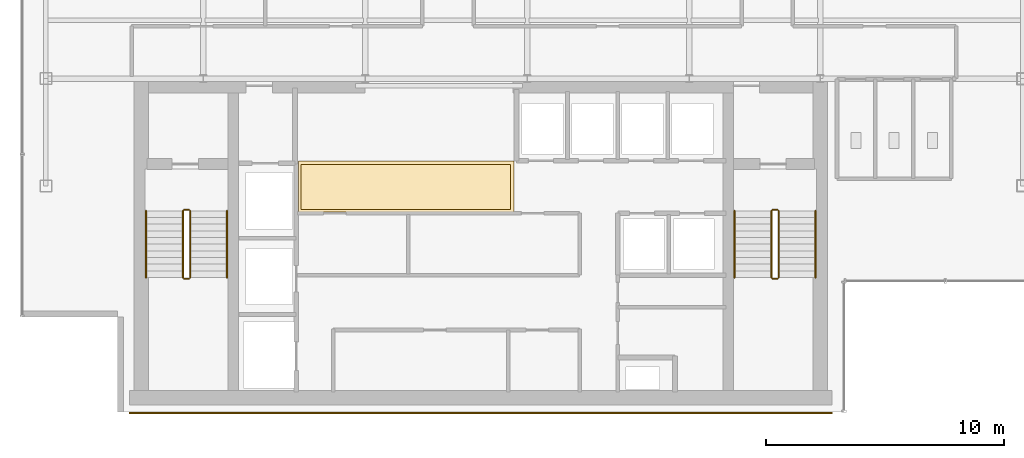
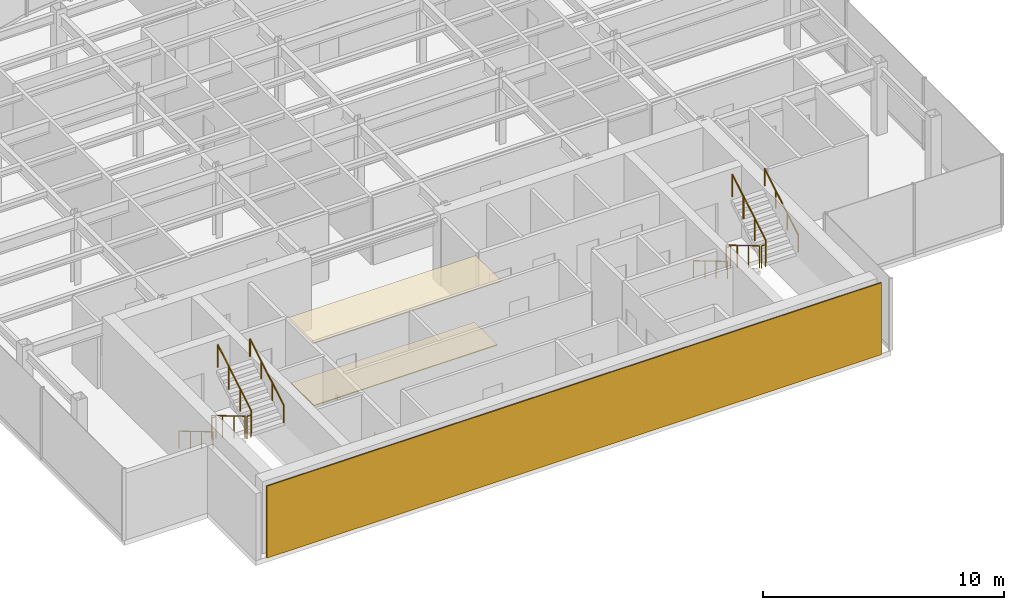
# One storey, part 20 of 22: 12 railings, 3 coverings.
"""IFC4 building model written with IfcOpenShell, lengths in metres."""

from ifc_helpers import new_model, si_unit, derived_unit, direction, frame, origin, origin_2d, place, context, subcontext, project, spatial, polyline, rectangle, circle, outline, extrude, source, transform, mapped, material, layer, layer_set, type_object, element, save


model = new_model("IFC4")

# Units and contexts
model_context = context("Model", 3, precision=1e-05, world=origin(), true_north=direction((0.0, 1.0)))
body_context = subcontext(model_context, "Body", "Model", "MODEL_VIEW")
ifc_project = project(units=[si_unit("LENGTHUNIT", "METRE"), si_unit("AREAUNIT", "SQUARE_METRE"), si_unit("VOLUMEUNIT", "CUBIC_METRE"), si_unit("PLANEANGLEUNIT", "RADIAN"), si_unit("MASSUNIT", "GRAM", prefix="KILO"), derived_unit("THERMALTRANSMITTANCEUNIT", [(si_unit("POWERUNIT", "WATT"), 1), (si_unit("LENGTHUNIT", "METRE"), -2), (si_unit("THERMODYNAMICTEMPERATUREUNIT", "KELVIN"), -1)])], contexts=[model_context])

# Site, building, storey
site_placement = place(None, origin())
site = spatial("IfcSite", under=ifc_project, at=site_placement, CompositionType="ELEMENT")
building_placement = place(site_placement, origin())
building = spatial("IfcBuilding", under=site, at=building_placement, Name="Skarnbrae Concourse Arena and Tower", CompositionType="ELEMENT")
storey_placement = place(building_placement, frame((0.0, 0.0, 247.85009765625)))
storey = spatial("IfcBuildingStorey", under=building, at=storey_placement, Name="L64", CompositionType="ELEMENT", Elevation=247.85009765625)

# Coverings
ifc_material_1 = material(Name="Mineral fibre acoustic ceiling tile", Category="other")
ifc_layer_1 = layer(ifc_material_1, 0.0400390625)
ifc_layer_set_1 = layer_set([ifc_layer_1], Name="Mineral fibre acoustic ceiling tile")
covering_type_1 = type_object("IfcCoveringType", Name="COV-CEIL-ACOUSTIC", PredefinedType="CEILING", material=ifc_layer_set_1)
covering_1_placement = place(storey_placement, frame((0.0, 0.0, 3.239990234375)))
element("IfcCovering", 1, at=covering_1_placement, inside=storey, type_object=covering_type_1, Name="L64 Lift lobby acoustic ceiling", PredefinedType="CEILING", context=body_context, shape_type="SweptSolid", body=[
    extrude(outline(polyline([(11.60009765625, 8.39990234375), (20.64990234375, 8.39990234375), (20.64990234375, 10.550048828125), (11.60009765625, 10.550048828125), (11.60009765625, 8.39990234375)])), origin(), (0.0, 0.0, 1.0), 0.039794921875),
])
ifc_material_2 = material(Name="Polished granite terrazzo flooring", Category="masonry")
ifc_layer_2 = layer(ifc_material_2, 0.0400390625)
ifc_layer_set_2 = layer_set([ifc_layer_2], Name="Polished granite terrazzo flooring")
covering_type_2 = type_object("IfcCoveringType", Name="COV-FLOOR-TERRAZZO", PredefinedType="FLOORING", material=ifc_layer_set_2)
covering_2_placement = place(storey_placement, origin())
element("IfcCovering", 2, at=covering_2_placement, inside=storey, type_object=covering_type_2, Name="L64 Lift lobby terrazzo flooring", PredefinedType="FLOORING", context=body_context, shape_type="SweptSolid", body=[
    extrude(outline(polyline([(11.699951171875, 8.5), (20.5, 8.5), (20.5, 10.39990234375), (11.699951171875, 10.39990234375), (11.699951171875, 8.5)])), origin(), (0.0, 0.0, 1.0), 0.039794921875),
])

# Railings
ifc_material_3 = material(Name="Steel CSA G40.21 350W", Category="steel")
railing_type_1 = type_object("IfcRailingType", Name="RAIL-HANDRAIL-900", PredefinedType="HANDRAIL", material=ifc_material_3)
railing_1_placement = place(storey_placement, frame((5.199951171875, 8.449951171875, 0.165771484375)))
element("IfcRailing", 3, at=railing_1_placement, inside=storey, type_object=railing_type_1, Name="L64 ST-1 stair handrail 1", PredefinedType="HANDRAIL", context=body_context, shape_type="SweptSolid", body=[
    extrude(circle(Radius=0.02392578125, at=origin_2d()), frame((0.0, 0.0, 0.8759765625), z_axis=(0.0, -0.860306154799, 0.50977771628), x_axis=(1.0, 0.0, 0.0)), (0.0, 0.0, 1.0), 3.254638671875),
    extrude(circle(Radius=0.02099609375, at=origin_2d()), origin(), (0.0, 0.0, 1.0), 0.851806640625),
    extrude(circle(Radius=0.02099609375, at=origin_2d()), frame((0.0, -0.933349609375, 0.552978515625)), (0.0, 0.0, 1.0), 0.851806640625),
    extrude(circle(Radius=0.02099609375, at=origin_2d()), frame((0.0, -1.86669921875, 1.106201171875)), (0.0, 0.0, 1.0), 0.851806640625),
    extrude(circle(Radius=0.02099609375, at=origin_2d()), frame((0.0, -2.800048828125, 1.6591796875)), (0.0, 0.0, 1.0), 0.851806640625),
])
railing_2_placement = place(storey_placement, frame((8.60009765625, 5.64990234375, 1.99072265625)))
element("IfcRailing", 4, at=railing_2_placement, inside=storey, type_object=railing_type_1, Name="L64 ST-1 stair handrail 2", PredefinedType="HANDRAIL", context=body_context, shape_type="SweptSolid", body=[
    extrude(circle(Radius=0.02392578125, at=origin_2d()), frame((0.0, 0.0, 0.8759765625), z_axis=(0.0, 0.860306154799, 0.50977771628), x_axis=(-1.0, 0.0, 0.0)), (0.0, 0.0, 1.0), 3.254638671875),
    extrude(circle(Radius=0.02099609375, at=origin_2d()), origin(), (0.0, 0.0, 1.0), 0.851806640625),
    extrude(circle(Radius=0.02099609375, at=origin_2d()), frame((0.0, 0.933349609375, 0.552978515625)), (0.0, 0.0, 1.0), 0.851806640625),
    extrude(circle(Radius=0.02099609375, at=origin_2d()), frame((0.0, 1.86669921875, 1.106201171875)), (0.0, 0.0, 1.0), 0.851806640625),
    extrude(circle(Radius=0.02099609375, at=origin_2d()), frame((0.0, 2.800048828125, 1.6591796875)), (0.0, 0.0, 1.0), 0.851806640625),
])
railing_3_placement = place(storey_placement, frame((29.89990234375, 8.449951171875, 0.165771484375)))
element("IfcRailing", 5, at=railing_3_placement, inside=storey, type_object=railing_type_1, Name="L64 ST-2 stair handrail 1", PredefinedType="HANDRAIL", context=body_context, shape_type="SweptSolid", body=[
    extrude(circle(Radius=0.02392578125, at=origin_2d()), frame((0.0, 0.0, 0.8759765625), z_axis=(0.0, -0.860306154799, 0.50977771628), x_axis=(1.0, 0.0, 0.0)), (0.0, 0.0, 1.0), 3.254638671875),
    extrude(circle(Radius=0.02099609375, at=origin_2d()), origin(), (0.0, 0.0, 1.0), 0.851806640625),
    extrude(circle(Radius=0.02099609375, at=origin_2d()), frame((0.0, -0.933349609375, 0.552978515625)), (0.0, 0.0, 1.0), 0.851806640625),
    extrude(circle(Radius=0.02099609375, at=origin_2d()), frame((0.0, -1.86669921875, 1.106201171875)), (0.0, 0.0, 1.0), 0.851806640625),
    extrude(circle(Radius=0.02099609375, at=origin_2d()), frame((0.0, -2.800048828125, 1.6591796875)), (0.0, 0.0, 1.0), 0.851806640625),
])
railing_4_placement = place(storey_placement, frame((33.300048828125, 5.64990234375, 1.99072265625)))
element("IfcRailing", 6, at=railing_4_placement, inside=storey, type_object=railing_type_1, Name="L64 ST-2 stair handrail 2", PredefinedType="HANDRAIL", context=body_context, shape_type="SweptSolid", body=[
    extrude(circle(Radius=0.02392578125, at=origin_2d()), frame((0.0, 0.0, 0.8759765625), z_axis=(0.0, 0.860306154799, 0.50977771628), x_axis=(-1.0, 0.0, 0.0)), (0.0, 0.0, 1.0), 3.254638671875),
    extrude(circle(Radius=0.02099609375, at=origin_2d()), origin(), (0.0, 0.0, 1.0), 0.851806640625),
    extrude(circle(Radius=0.02099609375, at=origin_2d()), frame((0.0, 0.933349609375, 0.552978515625)), (0.0, 0.0, 1.0), 0.851806640625),
    extrude(circle(Radius=0.02099609375, at=origin_2d()), frame((0.0, 1.86669921875, 1.106201171875)), (0.0, 0.0, 1.0), 0.851806640625),
    extrude(circle(Radius=0.02099609375, at=origin_2d()), frame((0.0, 2.800048828125, 1.6591796875)), (0.0, 0.0, 1.0), 0.851806640625),
])
railing_type_2 = type_object("IfcRailingType", Name="RAIL-STAIR-GUARD-1150", PredefinedType="GUARDRAIL", material=ifc_material_3)
railing_5_placement = place(storey_placement, frame((6.75, 8.449951171875, 0.165771484375)))
element("IfcRailing", 7, at=railing_5_placement, inside=storey, type_object=railing_type_2, Name="L64 ST-1 stair guard 1", PredefinedType="GUARDRAIL", context=body_context, shape_type="SweptSolid", body=[
    extrude(circle(Radius=0.02392578125, at=origin_2d()), frame((0.0, 0.0, 1.1259765625), z_axis=(0.0, -0.860306154799, 0.50977771628), x_axis=(1.0, 0.0, 0.0)), (0.0, 0.0, 1.0), 3.254638671875),
    extrude(circle(Radius=0.02099609375, at=origin_2d()), origin(), (0.0, 0.0, 1.0), 1.101806640625),
    extrude(circle(Radius=0.02099609375, at=origin_2d()), frame((0.0, -0.933349609375, 0.552978515625)), (0.0, 0.0, 1.0), 1.101806640625),
    extrude(circle(Radius=0.02099609375, at=origin_2d()), frame((0.0, -1.86669921875, 1.106201171875)), (0.0, 0.0, 1.0), 1.101806640625),
    extrude(circle(Radius=0.02099609375, at=origin_2d()), frame((0.0, -2.800048828125, 1.6591796875)), (0.0, 0.0, 1.0), 1.101806640625),
])
railing_6_placement = place(storey_placement, frame((6.800048828125, 5.60009765625, 1.824951171875)))
element("IfcRailing", 8, at=railing_6_placement, inside=storey, type_object=railing_type_2, Name="L64 ST-1 stair guard 2", PredefinedType="GUARDRAIL", context=body_context, shape_type="SweptSolid", body=[
    extrude(circle(Radius=0.02392578125, at=origin_2d()), frame((0.0, 0.0, 1.1259765625), z_axis=(1.0, 0.0, 0.0), x_axis=(0.0, 1.0, 0.0)), (0.0, 0.0, 1.0), 0.199951171875),
    extrude(circle(Radius=0.02099609375, at=origin_2d()), origin(), (0.0, 0.0, 1.0), 1.101806640625),
    extrude(circle(Radius=0.02099609375, at=origin_2d()), frame((0.199951171875, 0.0, 0.0)), (0.0, 0.0, 1.0), 1.101806640625),
])
railing_7_placement = place(storey_placement, frame((7.050048828125, 5.64990234375, 1.99072265625)))
element("IfcRailing", 9, at=railing_7_placement, inside=storey, type_object=railing_type_2, Name="L64 ST-1 stair guard 3", PredefinedType="GUARDRAIL", context=body_context, shape_type="SweptSolid", body=[
    extrude(circle(Radius=0.02392578125, at=origin_2d()), frame((0.0, 0.0, 1.1259765625), z_axis=(0.0, 0.860306154799, 0.50977771628), x_axis=(-1.0, 0.0, 0.0)), (0.0, 0.0, 1.0), 3.254638671875),
    extrude(circle(Radius=0.02099609375, at=origin_2d()), origin(), (0.0, 0.0, 1.0), 1.101806640625),
    extrude(circle(Radius=0.02099609375, at=origin_2d()), frame((0.0, 0.933349609375, 0.552978515625)), (0.0, 0.0, 1.0), 1.101806640625),
    extrude(circle(Radius=0.02099609375, at=origin_2d()), frame((0.0, 1.86669921875, 1.106201171875)), (0.0, 0.0, 1.0), 1.101806640625),
    extrude(circle(Radius=0.02099609375, at=origin_2d()), frame((0.0, 2.800048828125, 1.6591796875)), (0.0, 0.0, 1.0), 1.101806640625),
])
railing_8_placement = place(storey_placement, frame((6.800048828125, 8.5, 0.0)))
element("IfcRailing", 10, at=railing_8_placement, inside=storey, type_object=railing_type_2, Name="L64 ST-1 stair guard 4", PredefinedType="GUARDRAIL", context=body_context, shape_type="SweptSolid", body=[
    extrude(circle(Radius=0.02392578125, at=origin_2d()), frame((0.0, 0.0, 1.1259765625), z_axis=(1.0, 0.0, 0.0), x_axis=(0.0, 1.0, 0.0)), (0.0, 0.0, 1.0), 0.199951171875),
    extrude(circle(Radius=0.02099609375, at=origin_2d()), origin(), (0.0, 0.0, 1.0), 1.101806640625),
    extrude(circle(Radius=0.02099609375, at=origin_2d()), frame((0.199951171875, 0.0, 0.0)), (0.0, 0.0, 1.0), 1.101806640625),
])
railing_9_placement = place(storey_placement, frame((31.449951171875, 8.449951171875, 0.165771484375)))
element("IfcRailing", 11, at=railing_9_placement, inside=storey, type_object=railing_type_2, Name="L64 ST-2 stair guard 1", PredefinedType="GUARDRAIL", context=body_context, shape_type="SweptSolid", body=[
    extrude(circle(Radius=0.02392578125, at=origin_2d()), frame((0.0, 0.0, 1.1259765625), z_axis=(0.0, -0.860306154799, 0.50977771628), x_axis=(1.0, 0.0, 0.0)), (0.0, 0.0, 1.0), 3.254638671875),
    extrude(circle(Radius=0.02099609375, at=origin_2d()), origin(), (0.0, 0.0, 1.0), 1.101806640625),
    extrude(circle(Radius=0.02099609375, at=origin_2d()), frame((0.0, -0.933349609375, 0.552978515625)), (0.0, 0.0, 1.0), 1.101806640625),
    extrude(circle(Radius=0.02099609375, at=origin_2d()), frame((0.0, -1.86669921875, 1.106201171875)), (0.0, 0.0, 1.0), 1.101806640625),
    extrude(circle(Radius=0.02099609375, at=origin_2d()), frame((0.0, -2.800048828125, 1.6591796875)), (0.0, 0.0, 1.0), 1.101806640625),
])
railing_10_placement = place(storey_placement, frame((31.5, 5.60009765625, 1.824951171875)))
element("IfcRailing", 12, at=railing_10_placement, inside=storey, type_object=railing_type_2, Name="L64 ST-2 stair guard 2", PredefinedType="GUARDRAIL", context=body_context, shape_type="SweptSolid", body=[
    extrude(circle(Radius=0.02392578125, at=origin_2d()), frame((0.0, 0.0, 1.1259765625), z_axis=(1.0, 0.0, 0.0), x_axis=(0.0, 1.0, 0.0)), (0.0, 0.0, 1.0), 0.199951171875),
    extrude(circle(Radius=0.02099609375, at=origin_2d()), origin(), (0.0, 0.0, 1.0), 1.101806640625),
    extrude(circle(Radius=0.02099609375, at=origin_2d()), frame((0.199951171875, 0.0, 0.0)), (0.0, 0.0, 1.0), 1.101806640625),
])
railing_11_placement = place(storey_placement, frame((31.75, 5.64990234375, 1.99072265625)))
element("IfcRailing", 13, at=railing_11_placement, inside=storey, type_object=railing_type_2, Name="L64 ST-2 stair guard 3", PredefinedType="GUARDRAIL", context=body_context, shape_type="SweptSolid", body=[
    extrude(circle(Radius=0.02392578125, at=origin_2d()), frame((0.0, 0.0, 1.1259765625), z_axis=(0.0, 0.860306154799, 0.50977771628), x_axis=(-1.0, 0.0, 0.0)), (0.0, 0.0, 1.0), 3.254638671875),
    extrude(circle(Radius=0.02099609375, at=origin_2d()), origin(), (0.0, 0.0, 1.0), 1.101806640625),
    extrude(circle(Radius=0.02099609375, at=origin_2d()), frame((0.0, 0.933349609375, 0.552978515625)), (0.0, 0.0, 1.0), 1.101806640625),
    extrude(circle(Radius=0.02099609375, at=origin_2d()), frame((0.0, 1.86669921875, 1.106201171875)), (0.0, 0.0, 1.0), 1.101806640625),
    extrude(circle(Radius=0.02099609375, at=origin_2d()), frame((0.0, 2.800048828125, 1.6591796875)), (0.0, 0.0, 1.0), 1.101806640625),
])
railing_12_placement = place(storey_placement, frame((31.5, 8.5, 0.0)))
element("IfcRailing", 14, at=railing_12_placement, inside=storey, type_object=railing_type_2, Name="L64 ST-2 stair guard 4", PredefinedType="GUARDRAIL", context=body_context, shape_type="SweptSolid", body=[
    extrude(circle(Radius=0.02392578125, at=origin_2d()), frame((0.0, 0.0, 1.1259765625), z_axis=(1.0, 0.0, 0.0), x_axis=(0.0, 1.0, 0.0)), (0.0, 0.0, 1.0), 0.199951171875),
    extrude(circle(Radius=0.02099609375, at=origin_2d()), origin(), (0.0, 0.0, 1.0), 1.101806640625),
    extrude(circle(Radius=0.02099609375, at=origin_2d()), frame((0.199951171875, 0.0, 0.0)), (0.0, 0.0, 1.0), 1.101806640625),
])

# Covering
ifc_material_4 = material(Name="Bronze anodised aluminium 6063-T6", Category="aluminium")
ifc_layer_3 = layer(ifc_material_4, 0.06005859375)
ifc_layer_set_3 = layer_set([ifc_layer_3], Name="Bronze anodised aluminium 6063-T6")
covering_type_3 = type_object("IfcCoveringType", Name="COV-CLAD-BRONZE-60", PredefinedType="CLADDING", material=ifc_layer_set_3)
shared_shape = source(origin(), body_context, "Body", "SweptSolid", [
    extrude(rectangle(XDim=29.5, YDim=0.06005859375, at=origin_2d()), origin(), (0.0, 0.0, 1.0), 3.64990234375),
])
covering_3_placement = place(storey_placement, frame((19.25, -0.030029296875, 0.0), z_axis=(0.0, 0.0, 1.0), x_axis=(1.0, 0.0, 0.0)))
element("IfcCovering", 15, at=covering_3_placement, inside=storey, type_object=covering_type_3, Name="L64 Rear-core plumb spine bronze rainscreen panel", PredefinedType="CLADDING", context=body_context, shape_type="MappedRepresentation", body=[
    mapped(shared_shape, transform((0.0, 0.0, 0.0))),
])

save(model, "model.ifc")
